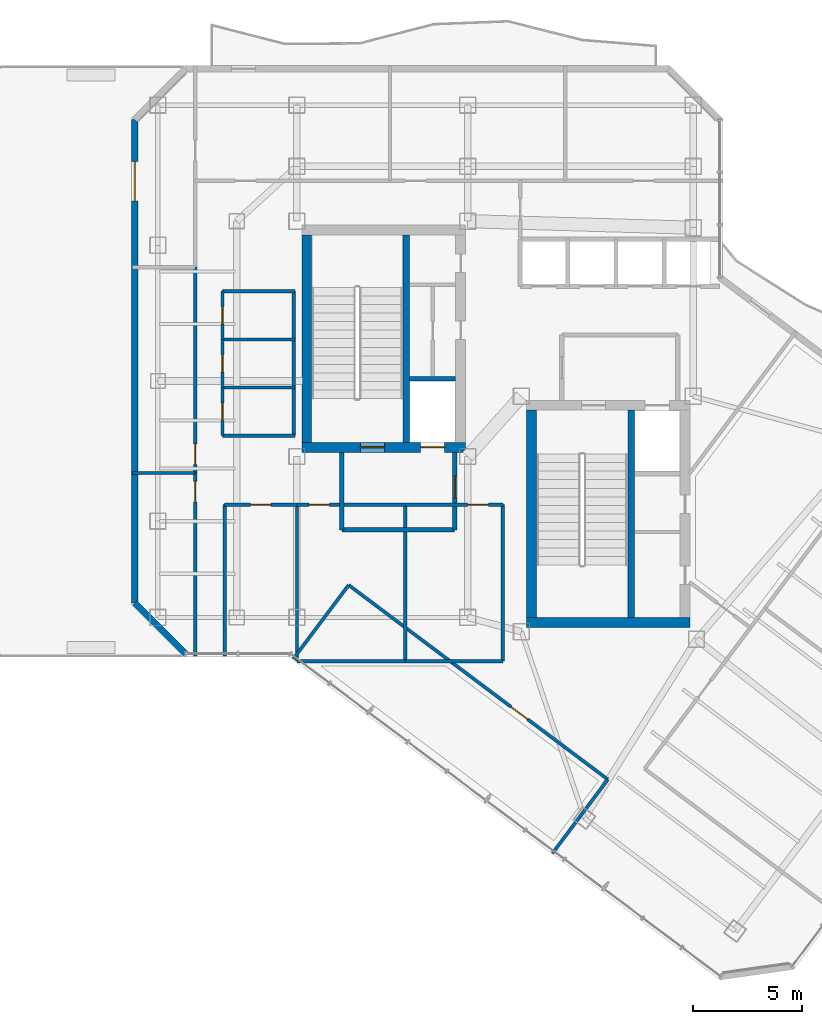
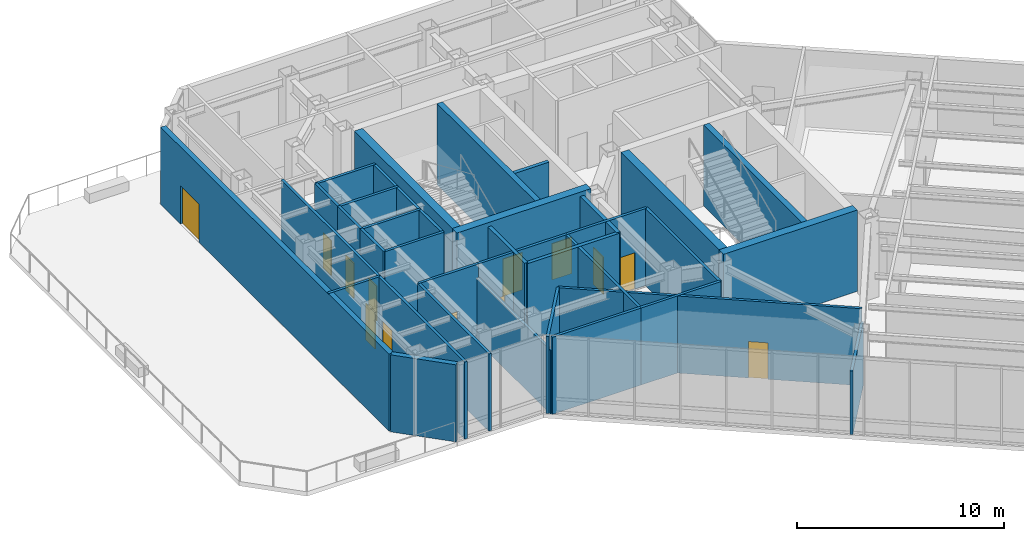
# One storey, part 16 of 21: 35 walls, 13 doors, 13 openings.
"""IFC4 building model written with IfcOpenShell, lengths in metres."""

from ifc_helpers import new_model, si_unit, direction, frame, frame_2d, origin, place, context, subcontext, project, spatial, rectangle, extrude, material, layer, layer_set, type_object, element, fill, save


model = new_model("IFC4")

# Units and contexts
model_context = context("Model", 3, precision=1e-05, world=origin(), true_north=direction((0.0, 1.0)))
body_context = subcontext(model_context, "Body", "Model", "MODEL_VIEW")
ifc_project = project(units=[si_unit("LENGTHUNIT", "METRE"), si_unit("AREAUNIT", "SQUARE_METRE"), si_unit("VOLUMEUNIT", "CUBIC_METRE"), si_unit("PLANEANGLEUNIT", "RADIAN"), si_unit("MASSUNIT", "GRAM", prefix="KILO")], contexts=[model_context])

# Site, building, storey
site_placement = place(None, origin())
site = spatial("IfcSite", under=ifc_project, at=site_placement, CompositionType="ELEMENT")
building_placement = place(site_placement, origin())
building = spatial("IfcBuilding", under=site, at=building_placement, Name="Hatsunagi Terrace Concourse", CompositionType="ELEMENT")
storey_placement = place(building_placement, frame((0.0, 0.0, 186.75)))
storey = spatial("IfcBuildingStorey", under=building, at=storey_placement, Name="L49", CompositionType="ELEMENT", Elevation=186.75)

# Wall, openings, doors
ifc_material_1 = material(Name="Concrete Fc42", Category="concrete")
ifc_layer_1 = layer(ifc_material_1, 0.449951171875)
ifc_layer_set_1 = layer_set([ifc_layer_1], Name="CoreShearWall_Fc42_450")
wall_type_1 = type_object("IfcWallType", Name="CoreShearWall_Fc42_450", PredefinedType="SHEAR", material=ifc_layer_set_1)
wall_1_placement = place(storey_placement, frame((25.77001953125, 32.965087890625, 0.0), z_axis=(0.0, 0.0, 1.0), x_axis=(1.0, 0.0, 0.0)))
wall_1 = element("IfcWall", 1, at=wall_1_placement, inside=storey, type_object=wall_type_1, Name="Core A Shear Wall S L49", PredefinedType="SHEAR", context=body_context, shape_type="SweptSolid", body=[
    extrude(rectangle(XDim=7.47998046875, YDim=0.449951171875, at=frame_2d((3.739990234375, 0.0))), origin(), (0.0, 0.0, 1.0), 4.800048828125),
])
opening_1_placement = place(wall_1_placement, frame((2.679931640625, 0.0, 0.0)))
opening_1 = element("IfcOpeningElement", 2, at=opening_1_placement, cuts=wall_1, Name="Opening DR-110S", PredefinedType="OPENING", context=body_context, shape_type="SweptSolid", body=[
    extrude(rectangle(XDim=1.10009765625, YDim=2.199951171875, at=frame_2d((0.550048828125, 1.10009765625))), frame((0.0, 0.23486328125, 0.0), z_axis=(0.0, -1.0, 0.0), x_axis=(1.0, 0.0, 0.0)), (0.0, 0.0, 1.0), 0.469970703125),
])
opening_2_placement = place(wall_1_placement, frame((5.429931640625, 0.0, 0.0)))
opening_2 = element("IfcOpeningElement", 3, at=opening_2_placement, cuts=wall_1, Name="Opening LD-01", PredefinedType="OPENING", context=body_context, shape_type="SweptSolid", body=[
    extrude(rectangle(XDim=1.10009765625, YDim=2.14990234375, at=frame_2d((0.550048828125, 1.074951171875))), frame((0.0, 0.23486328125, 0.0), z_axis=(0.0, -1.0, 0.0), x_axis=(1.0, 0.0, 0.0)), (0.0, 0.0, 1.0), 0.469970703125),
])
ifc_material_2 = material(Name="Stainless steel", Category="steel")
door_type_1 = type_object("IfcDoorType", Name="LiftLandingDoor_LD01", OperationType="SLIDING_TO_LEFT", PredefinedType="USERDEFINED", material=ifc_material_2)
door_1_placement = place(opening_2_placement, origin())
door_1 = element("IfcDoor", 4, at=door_1_placement, inside=storey, type_object=door_type_1, Name="Lift landing door FF-01 L49", ObjectType="SLIDING_LANDING_DOOR", OperationType="SLIDING_TO_LEFT", OverallHeight=2.14990234375, OverallWidth=1.10009765625, PredefinedType="USERDEFINED", context=body_context, shape_type="SweptSolid", body=[
    extrude(rectangle(XDim=1.10009765625, YDim=2.14990234375, at=frame_2d((0.550048828125, 1.074951171875))), frame((0.0, 0.02490234375, 0.0), z_axis=(0.0, -1.0, 0.0), x_axis=(1.0, 0.0, 0.0)), (0.0, 0.0, 1.0), 0.050048828125),
])
fill(opening_2, door_1)
ifc_material_3 = material(Name="Painted steel", Category="steel")
door_type_2 = type_object("IfcDoorType", Name="StairFireDoor_EI60_1100", OperationType="NOTDEFINED", PredefinedType="DOOR", material=ifc_material_3)
door_2_placement = place(opening_1_placement, origin())
door_2 = element("IfcDoor", 5, at=door_2_placement, inside=storey, type_object=door_type_2, Name="Stair ST-A Exit Door L49", OperationType="SINGLE_SWING_LEFT", OverallHeight=2.199951171875, OverallWidth=1.10009765625, PredefinedType="DOOR", context=body_context, shape_type="SweptSolid", body=[
    extrude(rectangle(XDim=1.10009765625, YDim=2.199951171875, at=frame_2d((0.550048828125, 1.10009765625))), frame((0.0, 0.02490234375, 0.0), z_axis=(0.0, -1.0, 0.0), x_axis=(1.0, 0.0, 0.0)), (0.0, 0.0, 1.0), 0.050048828125),
])
fill(opening_1, door_2)

# Walls
wall_2_placement = place(storey_placement, frame((25.9951171875, 33.18994140625, 0.0), z_axis=(0.0, 0.0, 1.0), x_axis=(0.0, 1.0, 0.0)))
element("IfcWall", 6, at=wall_2_placement, inside=storey, type_object=wall_type_1, Name="Core A Shear Wall W L49", PredefinedType="SHEAR", context=body_context, shape_type="SweptSolid", body=[
    extrude(rectangle(XDim=9.47998046875, YDim=0.449951171875, at=frame_2d((4.739990234375, 0.0))), origin(), (0.0, 0.0, 1.0), 4.800048828125),
])
wall_3_placement = place(storey_placement, frame((36.0400390625, 24.965087890625, 0.0), z_axis=(0.0, 0.0, 1.0), x_axis=(1.0, 0.0, 0.0)))
element("IfcWall", 7, at=wall_3_placement, inside=storey, type_object=wall_type_1, Name="Core B Shear Wall S L49", PredefinedType="SHEAR", context=body_context, shape_type="SweptSolid", body=[
    extrude(rectangle(XDim=7.4599609375, YDim=0.449951171875, at=frame_2d((3.72998046875, 0.0))), origin(), (0.0, 0.0, 1.0), 4.800048828125),
])
wall_4_placement = place(storey_placement, frame((36.264892578125, 25.18994140625, 0.0), z_axis=(0.0, 0.0, 1.0), x_axis=(0.0, 1.0, 0.0)))
element("IfcWall", 8, at=wall_4_placement, inside=storey, type_object=wall_type_1, Name="Core B Shear Wall W L49", PredefinedType="SHEAR", context=body_context, shape_type="SweptSolid", body=[
    extrude(rectangle(XDim=9.47998046875, YDim=0.449951171875, at=frame_2d((4.739990234375, 0.0))), origin(), (0.0, 0.0, 1.0), 4.800048828125),
])
ifc_material_4 = material(Name="Concrete Fc48", Category="concrete")
ifc_layer_2 = layer(ifc_material_4, 0.300048828125)
ifc_layer_set_2 = layer_set([ifc_layer_2], Name="CoreStairDivider_Fc48_300")
wall_type_2 = type_object("IfcWallType", Name="CoreStairDivider_Fc48_300", PredefinedType="SHEAR", material=ifc_layer_set_2)
for number, where, z_axis, x_axis, name in (
    (9, (30.5400390625, 33.18994140625, 0.0), (0.0, 0.0, 1.0), (0.0, 1.0, 0.0), "Core A Shear Wall D L49"),
    (10, (40.81005859375, 25.18994140625, 0.0), (0.0, 0.0, 1.0), (0.0, 1.0, 0.0), "Core B Shear Wall D L49"),
):
    element("IfcWall", number, at=place(storey_placement, frame(where, z_axis=z_axis, x_axis=x_axis)), inside=storey, type_object=wall_type_2, Name=name, PredefinedType="SHEAR", context=body_context, shape_type="SweptSolid", body=[
        extrude(rectangle(XDim=9.47998046875, YDim=0.300048828125, at=frame_2d((4.739990234375, 0.0))), origin(), (0.0, 0.0, 1.0), 4.800048828125),
    ])
ifc_material_5 = material(Name="Acoustic mineral board", Category="gypsum")
ifc_layer_3 = layer(ifc_material_5, 0.14990234375)
ifc_layer_set_3 = layer_set([ifc_layer_3], Name="PartitionWall_EI60_150")
wall_type_3 = type_object("IfcWallType", Name="PartitionWall_EI60_150", PredefinedType="PARTITIONING", material=ifc_layer_set_3)
for number, where, z_axis, x_axis, name in (
    (11, (22.14990234375, 33.5, 0.0), (0.0, 0.0, 1.0), (1.0, 0.0, 0.0), "Interior Partition IW-L49-018"),
    (12, (22.14990234375, 40.10009765625, 0.0), (0.0, 0.0, 1.0), (1.0, 0.0, 0.0), "Interior Partition IW-L49-019"),
):
    element("IfcWall", number, at=place(storey_placement, frame(where, z_axis=z_axis, x_axis=x_axis)), inside=storey, type_object=wall_type_3, Name=name, PredefinedType="PARTITIONING", context=body_context, shape_type="SweptSolid", body=[
        extrude(rectangle(XDim=3.300048828125, YDim=0.14990234375, at=frame_2d((1.64990234375, 0.0))), origin(), (0.0, 0.0, 1.0), 4.550048828125),
    ])
wall_5_placement = place(storey_placement, frame((25.39990234375, 33.5, 0.0), z_axis=(0.0, 0.0, 1.0), x_axis=(0.0, 1.0, 0.0)))
element("IfcWall", 13, at=wall_5_placement, inside=storey, type_object=wall_type_3, Name="Interior Partition IW-L49-020", PredefinedType="PARTITIONING", context=body_context, shape_type="SweptSolid", body=[
    extrude(rectangle(XDim=6.60009765625, YDim=0.14990234375, at=frame_2d((3.300048828125, 0.0))), origin(), (0.0, 0.0, 1.0), 4.550048828125),
])
for number, where, z_axis, x_axis, name in (
    (14, (22.14990234375, 35.699951171875, 0.0), (0.0, 0.0, 1.0), (1.0, 0.0, 0.0), "Interior Partition IW-L49-021"),
    (15, (22.14990234375, 37.89990234375, 0.0), (0.0, 0.0, 1.0), (1.0, 0.0, 0.0), "Interior Partition IW-L49-022"),
):
    element("IfcWall", number, at=place(storey_placement, frame(where, z_axis=z_axis, x_axis=x_axis)), inside=storey, type_object=wall_type_3, Name=name, PredefinedType="PARTITIONING", context=body_context, shape_type="SweptSolid", body=[
        extrude(rectangle(XDim=3.300048828125, YDim=0.14990234375, at=frame_2d((1.64990234375, 0.0))), origin(), (0.0, 0.0, 1.0), 4.550048828125),
    ])

# Wall, opening, door
wall_6_placement = place(storey_placement, frame((22.14990234375, 33.5, 0.0), z_axis=(0.0, 0.0, 1.0), x_axis=(0.0, 1.0, 0.0)))
wall_6 = element("IfcWall", 16, at=wall_6_placement, inside=storey, type_object=wall_type_3, Name="Interior Partition IW-L49-023", PredefinedType="PARTITIONING", context=body_context, shape_type="SweptSolid", body=[
    extrude(rectangle(XDim=2.199951171875, YDim=0.14990234375, at=frame_2d((1.10009765625, 0.0))), origin(), (0.0, 0.0, 1.0), 4.550048828125),
])
opening_3_placement = place(wall_6_placement, frame((0.699951171875, 0.0, 0.0)))
opening_3 = element("IfcOpeningElement", 17, at=opening_3_placement, cuts=wall_6, Name="Opening DR-080", PredefinedType="OPENING", context=body_context, shape_type="SweptSolid", body=[
    extrude(rectangle(XDim=0.800048828125, YDim=2.06005859375, at=frame_2d((0.39990234375, 1.030029296875))), frame((0.0, 0.0849609375, 0.0), z_axis=(0.0, -1.0, 0.0), x_axis=(1.0, 0.0, 0.0)), (0.0, 0.0, 1.0), 0.169921875),
])
ifc_material_6 = material(Name="Hardwood timber", Category="wood")
door_type_3 = type_object("IfcDoorType", Name="BathroomDoor_800", OperationType="NOTDEFINED", PredefinedType="DOOR", material=ifc_material_6)
door_3_placement = place(opening_3_placement, origin())
door_3 = element("IfcDoor", 18, at=door_3_placement, inside=storey, type_object=door_type_3, Name="Accessible WC Door L49", OperationType="SINGLE_SWING_RIGHT", OverallHeight=2.06005859375, OverallWidth=0.800048828125, PredefinedType="DOOR", context=body_context, shape_type="SweptSolid", body=[
    extrude(rectangle(XDim=0.800048828125, YDim=2.06005859375, at=frame_2d((0.39990234375, 1.030029296875))), frame((0.0, 0.02490234375, 0.0), z_axis=(0.0, -1.0, 0.0), x_axis=(1.0, 0.0, 0.0)), (0.0, 0.0, 1.0), 0.050048828125),
])
fill(opening_3, door_3)

wall_7_placement = place(storey_placement, frame((22.14990234375, 35.699951171875, 0.0), z_axis=(0.0, 0.0, 1.0), x_axis=(0.0, 1.0, 0.0)))
wall_7 = element("IfcWall", 19, at=wall_7_placement, inside=storey, type_object=wall_type_3, Name="Interior Partition IW-L49-024", PredefinedType="PARTITIONING", context=body_context, shape_type="SweptSolid", body=[
    extrude(rectangle(XDim=2.199951171875, YDim=0.14990234375, at=frame_2d((1.10009765625, 0.0))), origin(), (0.0, 0.0, 1.0), 4.550048828125),
])
opening_4_placement = place(wall_7_placement, frame((0.699951171875, 0.0, 0.0)))
opening_4 = element("IfcOpeningElement", 20, at=opening_4_placement, cuts=wall_7, Name="Opening DR-080", PredefinedType="OPENING", context=body_context, shape_type="SweptSolid", body=[
    extrude(rectangle(XDim=0.800048828125, YDim=2.06005859375, at=frame_2d((0.39990234375, 1.030029296875))), frame((0.0, 0.0849609375, 0.0), z_axis=(0.0, -1.0, 0.0), x_axis=(1.0, 0.0, 0.0)), (0.0, 0.0, 1.0), 0.169921875),
])
door_4_placement = place(opening_4_placement, origin())
door_4 = element("IfcDoor", 21, at=door_4_placement, inside=storey, type_object=door_type_3, Name="Female Restroom Door L49", OperationType="SINGLE_SWING_RIGHT", OverallHeight=2.06005859375, OverallWidth=0.800048828125, PredefinedType="DOOR", context=body_context, shape_type="SweptSolid", body=[
    extrude(rectangle(XDim=0.800048828125, YDim=2.06005859375, at=frame_2d((0.39990234375, 1.030029296875))), frame((0.0, 0.02490234375, 0.0), z_axis=(0.0, -1.0, 0.0), x_axis=(1.0, 0.0, 0.0)), (0.0, 0.0, 1.0), 0.050048828125),
])
fill(opening_4, door_4)

wall_8_placement = place(storey_placement, frame((22.14990234375, 37.89990234375, 0.0), z_axis=(0.0, 0.0, 1.0), x_axis=(0.0, 1.0, 0.0)))
wall_8 = element("IfcWall", 22, at=wall_8_placement, inside=storey, type_object=wall_type_3, Name="Interior Partition IW-L49-025", PredefinedType="PARTITIONING", context=body_context, shape_type="SweptSolid", body=[
    extrude(rectangle(XDim=2.2001953125, YDim=0.14990234375, at=frame_2d((1.10009765625, 0.0))), origin(), (0.0, 0.0, 1.0), 4.550048828125),
])
opening_5_placement = place(wall_8_placement, frame((0.699951171875, 0.0, 0.0)))
opening_5 = element("IfcOpeningElement", 23, at=opening_5_placement, cuts=wall_8, Name="Opening DR-080", PredefinedType="OPENING", context=body_context, shape_type="SweptSolid", body=[
    extrude(rectangle(XDim=0.800048828125, YDim=2.06005859375, at=frame_2d((0.39990234375, 1.030029296875))), frame((0.0, 0.0849609375, 0.0), z_axis=(0.0, -1.0, 0.0), x_axis=(1.0, 0.0, 0.0)), (0.0, 0.0, 1.0), 0.169921875),
])
door_5_placement = place(opening_5_placement, origin())
door_5 = element("IfcDoor", 24, at=door_5_placement, inside=storey, type_object=door_type_3, Name="Male Restroom Door L49", OperationType="SINGLE_SWING_RIGHT", OverallHeight=2.06005859375, OverallWidth=0.800048828125, PredefinedType="DOOR", context=body_context, shape_type="SweptSolid", body=[
    extrude(rectangle(XDim=0.800048828125, YDim=2.06005859375, at=frame_2d((0.39990234375, 1.030029296875))), frame((0.0, 0.02490234375, 0.0), z_axis=(0.0, -1.0, 0.0), x_axis=(1.0, 0.0, 0.0)), (0.0, 0.0, 1.0), 0.050048828125),
])
fill(opening_5, door_5)

# Wall
wall_9_placement = place(storey_placement, frame((25.550048828125, 23.199951171875, 0.0), z_axis=(0.0, 0.0, 1.0), x_axis=(1.0, 0.0, 0.0)))
element("IfcWall", 25, at=wall_9_placement, inside=storey, type_object=wall_type_3, Name="Interior Partition IW-L49-026", PredefinedType="PARTITIONING", context=body_context, shape_type="SweptSolid", body=[
    extrude(rectangle(XDim=4.949951171875, YDim=0.14990234375, at=frame_2d((2.47509765625, 0.0))), origin(), (0.0, 0.0, 1.0), 4.550048828125),
])

# Wall, opening, door
wall_10_placement = place(storey_placement, frame((25.550048828125, 30.35009765625, 0.0), z_axis=(0.0, 0.0, 1.0), x_axis=(1.0, 0.0, 0.0)))
wall_10 = element("IfcWall", 26, at=wall_10_placement, inside=storey, type_object=wall_type_3, Name="Interior Partition IW-L49-027", PredefinedType="PARTITIONING", context=body_context, shape_type="SweptSolid", body=[
    extrude(rectangle(XDim=4.949951171875, YDim=0.14990234375, at=frame_2d((2.47509765625, 0.0))), origin(), (0.0, 0.0, 1.0), 4.550048828125),
])
opening_6_placement = place(wall_10_placement, frame((0.5419921875, 0.0, 0.0)))
opening_6 = element("IfcOpeningElement", 27, at=opening_6_placement, cuts=wall_10, Name="Opening DR-095", PredefinedType="OPENING", context=body_context, shape_type="SweptSolid", body=[
    extrude(rectangle(XDim=0.949951171875, YDim=2.14990234375, at=frame_2d((0.47509765625, 1.074951171875))), frame((0.0, 0.0849609375, 0.0), z_axis=(0.0, -1.0, 0.0), x_axis=(1.0, 0.0, 0.0)), (0.0, 0.0, 1.0), 0.169921875),
])
ifc_material_7 = material(Name="Hardwood timber", Category="wood")
door_type_4 = type_object("IfcDoorType", Name="InteriorSuiteDoor_EI30_950", OperationType="NOTDEFINED", PredefinedType="DOOR", material=ifc_material_7)
door_6_placement = place(opening_6_placement, origin())
door_6 = element("IfcDoor", 28, at=door_6_placement, inside=storey, type_object=door_type_4, Name="Executive Office L49-RECL1 Door", OperationType="SINGLE_SWING_RIGHT", OverallHeight=2.14990234375, OverallWidth=0.949951171875, PredefinedType="DOOR", context=body_context, shape_type="SweptSolid", body=[
    extrude(rectangle(XDim=0.949951171875, YDim=2.14990234375, at=frame_2d((0.47509765625, 1.074951171875))), frame((0.0, 0.02490234375, 0.0), z_axis=(0.0, -1.0, 0.0), x_axis=(1.0, 0.0, 0.0)), (0.0, 0.0, 1.0), 0.050048828125),
])
fill(opening_6, door_6)

# Walls
wall_11_placement = place(storey_placement, frame((25.550048828125, 23.199951171875, 0.0), z_axis=(0.0, 0.0, 1.0), x_axis=(0.0, 1.0, 0.0)))
element("IfcWall", 29, at=wall_11_placement, inside=storey, type_object=wall_type_3, Name="Interior Partition IW-L49-028", PredefinedType="PARTITIONING", context=body_context, shape_type="SweptSolid", body=[
    extrude(rectangle(XDim=7.150146484375, YDim=0.14990234375, at=frame_2d((3.5751953125, 0.0))), origin(), (0.0, 0.0, 1.0), 3.7451171875),
])
wall_12_placement = place(storey_placement, frame((30.5, 23.199951171875, 0.0), z_axis=(0.0, 0.0, 1.0), x_axis=(0.0, 1.0, 0.0)))
element("IfcWall", 30, at=wall_12_placement, inside=storey, type_object=wall_type_3, Name="Interior Partition IW-L49-029", PredefinedType="PARTITIONING", context=body_context, shape_type="SweptSolid", body=[
    extrude(rectangle(XDim=7.150146484375, YDim=0.14990234375, at=frame_2d((3.5751953125, 0.0))), origin(), (0.0, 0.0, 1.0), 4.550048828125),
])
wall_13_placement = place(storey_placement, frame((30.5, 23.199951171875, 0.0), z_axis=(0.0, 0.0, 1.0), x_axis=(1.0, 0.0, 0.0)))
element("IfcWall", 31, at=wall_13_placement, inside=storey, type_object=wall_type_3, Name="Interior Partition IW-L49-030", PredefinedType="PARTITIONING", context=body_context, shape_type="SweptSolid", body=[
    extrude(rectangle(XDim=4.449951171875, YDim=0.14990234375, at=frame_2d((2.22509765625, 0.0))), origin(), (0.0, 0.0, 1.0), 4.550048828125),
])

# Wall, opening, door
wall_14_placement = place(storey_placement, frame((30.5, 30.35009765625, 0.0), z_axis=(0.0, 0.0, 1.0), x_axis=(1.0, 0.0, 0.0)))
wall_14 = element("IfcWall", 32, at=wall_14_placement, inside=storey, type_object=wall_type_3, Name="Interior Partition IW-L49-031", PredefinedType="PARTITIONING", context=body_context, shape_type="SweptSolid", body=[
    extrude(rectangle(XDim=4.449951171875, YDim=0.14990234375, at=frame_2d((2.22509765625, 0.0))), origin(), (0.0, 0.0, 1.0), 4.550048828125),
])
opening_7_placement = place(wall_14_placement, frame((2.845947265625, 0.0, 0.0)))
opening_7 = element("IfcOpeningElement", 33, at=opening_7_placement, cuts=wall_14, Name="Opening DR-095", PredefinedType="OPENING", context=body_context, shape_type="SweptSolid", body=[
    extrude(rectangle(XDim=0.949951171875, YDim=2.14990234375, at=frame_2d((0.47509765625, 1.074951171875))), frame((0.0, 0.0849609375, 0.0), z_axis=(0.0, -1.0, 0.0), x_axis=(1.0, 0.0, 0.0)), (0.0, 0.0, 1.0), 0.169921875),
])
door_7_placement = place(opening_7_placement, origin())
door_7 = element("IfcDoor", 34, at=door_7_placement, inside=storey, type_object=door_type_4, Name="Client Consultation Room L49-RECL2 Door", OperationType="SINGLE_SWING_RIGHT", OverallHeight=2.14990234375, OverallWidth=0.949951171875, PredefinedType="DOOR", context=body_context, shape_type="SweptSolid", body=[
    extrude(rectangle(XDim=0.949951171875, YDim=2.14990234375, at=frame_2d((0.47509765625, 1.074951171875))), frame((0.0, 0.02490234375, 0.0), z_axis=(0.0, -1.0, 0.0), x_axis=(1.0, 0.0, 0.0)), (0.0, 0.0, 1.0), 0.050048828125),
])
fill(opening_7, door_7)

# Walls
wall_15_placement = place(storey_placement, frame((34.949951171875, 23.199951171875, 0.0), z_axis=(0.0, 0.0, 1.0), x_axis=(0.0, 1.0, 0.0)))
element("IfcWall", 35, at=wall_15_placement, inside=storey, type_object=wall_type_3, Name="Interior Partition IW-L49-032", PredefinedType="PARTITIONING", context=body_context, shape_type="SweptSolid", body=[
    extrude(rectangle(XDim=7.150146484375, YDim=0.14990234375, at=frame_2d((3.5751953125, 0.0))), origin(), (0.0, 0.0, 1.0), 4.550048828125),
])
wall_16_placement = place(storey_placement, frame((18.0400390625, 31.800048828125, 0.0), z_axis=(0.0, 0.0, 1.0), x_axis=(1.0, 0.0, 0.0)))
element("IfcWall", 36, at=wall_16_placement, inside=storey, type_object=wall_type_3, Name="Interior Partition IW-L49-033", PredefinedType="PARTITIONING", context=body_context, shape_type="SweptSolid", body=[
    extrude(rectangle(XDim=2.85986328125, YDim=0.14990234375, at=frame_2d((1.429931640625, 0.0))), origin(), (0.0, 0.0, 1.0), 4.550048828125),
])

# Wall, opening, door
wall_17_placement = place(storey_placement, frame((20.89990234375, 23.43994140625, 0.0), z_axis=(0.0, 0.0, 1.0), x_axis=(0.0, 1.0, 0.0)))
wall_17 = element("IfcWall", 37, at=wall_17_placement, inside=storey, type_object=wall_type_3, Name="Interior Partition IW-L49-034", PredefinedType="PARTITIONING", context=body_context, shape_type="SweptSolid", body=[
    extrude(rectangle(XDim=8.360107421875, YDim=0.14990234375, at=frame_2d((4.18017578125, 0.0))), origin(), (0.0, 0.0, 1.0), 4.550048828125),
])
opening_8_placement = place(wall_17_placement, frame((7.030029296875, 0.0, 0.0)))
opening_8 = element("IfcOpeningElement", 38, at=opening_8_placement, cuts=wall_17, Name="Opening DR-095", PredefinedType="OPENING", context=body_context, shape_type="SweptSolid", body=[
    extrude(rectangle(XDim=0.949951171875, YDim=2.14990234375, at=frame_2d((0.47509765625, 1.074951171875))), frame((0.0, 0.0849609375, 0.0), z_axis=(0.0, -1.0, 0.0), x_axis=(1.0, 0.0, 0.0)), (0.0, 0.0, 1.0), 0.169921875),
])
door_8_placement = place(opening_8_placement, origin())
door_8 = element("IfcDoor", 39, at=door_8_placement, inside=storey, type_object=door_type_4, Name="Botanical Lounge L49-OW1 Door", OperationType="SINGLE_SWING_RIGHT", OverallHeight=2.14990234375, OverallWidth=0.949951171875, PredefinedType="DOOR", context=body_context, shape_type="SweptSolid", body=[
    extrude(rectangle(XDim=0.949951171875, YDim=2.14990234375, at=frame_2d((0.47509765625, 1.074951171875))), frame((0.0, 0.02490234375, 0.0), z_axis=(0.0, -1.0, 0.0), x_axis=(1.0, 0.0, 0.0)), (0.0, 0.0, 1.0), 0.050048828125),
])
fill(opening_8, door_8)

wall_18_placement = place(storey_placement, frame((20.89990234375, 31.800048828125, 0.0), z_axis=(0.0, 0.0, 1.0), x_axis=(0.0, 1.0, 0.0)))
wall_18 = element("IfcWall", 40, at=wall_18_placement, inside=storey, type_object=wall_type_3, Name="Interior Partition IW-L49-036", PredefinedType="PARTITIONING", context=body_context, shape_type="SweptSolid", body=[
    extrude(rectangle(XDim=9.39990234375, YDim=0.14990234375, at=frame_2d((4.699951171875, 0.0))), origin(), (0.0, 0.0, 1.0), 4.550048828125),
])
opening_9_placement = place(wall_18_placement, frame((0.3798828125, 0.0, 0.0)))
opening_9 = element("IfcOpeningElement", 41, at=opening_9_placement, cuts=wall_18, Name="Opening DR-095", PredefinedType="OPENING", context=body_context, shape_type="SweptSolid", body=[
    extrude(rectangle(XDim=0.949951171875, YDim=2.14990234375, at=frame_2d((0.47509765625, 1.074951171875))), frame((0.0, 0.0849609375, 0.0), z_axis=(0.0, -1.0, 0.0), x_axis=(1.0, 0.0, 0.0)), (0.0, 0.0, 1.0), 0.169921875),
])
door_9_placement = place(opening_9_placement, origin())
door_9 = element("IfcDoor", 42, at=door_9_placement, inside=storey, type_object=door_type_4, Name="Design Studio L49-OW2 Door", OperationType="SINGLE_SWING_RIGHT", OverallHeight=2.14990234375, OverallWidth=0.949951171875, PredefinedType="DOOR", context=body_context, shape_type="SweptSolid", body=[
    extrude(rectangle(XDim=0.949951171875, YDim=2.14990234375, at=frame_2d((0.47509765625, 1.074951171875))), frame((0.0, 0.02490234375, 0.0), z_axis=(0.0, -1.0, 0.0), x_axis=(1.0, 0.0, 0.0)), (0.0, 0.0, 1.0), 0.050048828125),
])
fill(opening_9, door_9)

wall_19_placement = place(storey_placement, frame((22.25, 30.35009765625, 0.0), z_axis=(0.0, 0.0, 1.0), x_axis=(1.0, 0.0, 0.0)))
wall_19 = element("IfcWall", 43, at=wall_19_placement, inside=storey, type_object=wall_type_3, Name="Interior Partition IW-L49-049", PredefinedType="PARTITIONING", context=body_context, shape_type="SweptSolid", body=[
    extrude(rectangle(XDim=3.300048828125, YDim=0.14990234375, at=frame_2d((1.64990234375, 0.0))), origin(), (0.0, 0.0, 1.0), 4.550048828125),
])
opening_10_placement = place(wall_19_placement, frame((1.175048828125, 0.0, 0.0)))
opening_10 = element("IfcOpeningElement", 44, at=opening_10_placement, cuts=wall_19, Name="Opening DR-095", PredefinedType="OPENING", context=body_context, shape_type="SweptSolid", body=[
    extrude(rectangle(XDim=0.949951171875, YDim=2.14990234375, at=frame_2d((0.47509765625, 1.074951171875))), frame((0.0, 0.0849609375, 0.0), z_axis=(0.0, -1.0, 0.0), x_axis=(1.0, 0.0, 0.0)), (0.0, 0.0, 1.0), 0.169921875),
])
door_10_placement = place(opening_10_placement, origin())
door_10 = element("IfcDoor", 45, at=door_10_placement, inside=storey, type_object=door_type_4, Name="Private Salon L49-OCSW Door", OperationType="SINGLE_SWING_RIGHT", OverallHeight=2.14990234375, OverallWidth=0.949951171875, PredefinedType="DOOR", context=body_context, shape_type="SweptSolid", body=[
    extrude(rectangle(XDim=0.949951171875, YDim=2.14990234375, at=frame_2d((0.47509765625, 1.074951171875))), frame((0.0, 0.02490234375, 0.0), z_axis=(0.0, -1.0, 0.0), x_axis=(1.0, 0.0, 0.0)), (0.0, 0.0, 1.0), 0.050048828125),
])
fill(opening_10, door_10)

# Wall
wall_20_placement = place(storey_placement, frame((22.25, 23.43994140625, 0.0), z_axis=(0.0, 0.0, 1.0), x_axis=(0.0, 1.0, 0.0)))
element("IfcWall", 46, at=wall_20_placement, inside=storey, type_object=wall_type_3, Name="Interior Partition IW-L49-050", PredefinedType="PARTITIONING", context=body_context, shape_type="SweptSolid", body=[
    extrude(rectangle(XDim=6.91015625, YDim=0.14990234375, at=frame_2d((3.455078125, 0.0))), origin(), (0.0, 0.0, 1.0), 4.550048828125),
])

# Wall, opening, door
wall_21_placement = place(storey_placement, frame((27.909912109375, 26.679931640625, 0.0), z_axis=(0.0, 0.0, 1.0), x_axis=(0.800005938517, -0.599992081896, 0.0)))
wall_21 = element("IfcWall", 47, at=wall_21_placement, inside=storey, type_object=wall_type_3, Name="Interior Partition IW-L49-052", PredefinedType="PARTITIONING", context=body_context, shape_type="SweptSolid", body=[
    extrude(rectangle(XDim=14.800048828125, YDim=0.14990234375, at=frame_2d((7.39990234375, 0.0))), origin(), (0.0, 0.0, 1.0), 4.550048828125),
])
opening_11_placement = place(wall_21_placement, frame((9.281005859375, 0.0, 0.0)))
opening_11 = element("IfcOpeningElement", 48, at=opening_11_placement, cuts=wall_21, Name="Opening DR-095", PredefinedType="OPENING", context=body_context, shape_type="SweptSolid", body=[
    extrude(rectangle(XDim=0.949951171875, YDim=2.14990234375, at=frame_2d((0.47509765625, 1.074951171875))), frame((0.0, 0.0849609375, 0.0), z_axis=(0.0, -1.0, 0.0), x_axis=(1.0, 0.0, 0.0)), (0.0, 0.0, 1.0), 0.169921875),
])
door_11_placement = place(opening_11_placement, origin())
door_11 = element("IfcDoor", 49, at=door_11_placement, inside=storey, type_object=door_type_4, Name="Research Focus Suite L49-OSWS Door", OperationType="SINGLE_SWING_RIGHT", OverallHeight=2.14990234375, OverallWidth=0.949951171875, PredefinedType="DOOR", context=body_context, shape_type="SweptSolid", body=[
    extrude(rectangle(XDim=0.949951171875, YDim=2.14990234375, at=frame_2d((0.47509765625, 1.074951171875))), frame((0.0, 0.02490234375, 0.0), z_axis=(0.0, -1.0, 0.0), x_axis=(1.0, 0.0, 0.0)), (0.0, 0.0, 1.0), 0.050048828125),
])
fill(opening_11, door_11)

# Walls
wall_22_placement = place(storey_placement, frame((25.384033203125, 23.31201171875, 0.0), z_axis=(0.0, 0.0, 1.0), x_axis=(0.599990721155, 0.80000695905, 0.0)))
element("IfcWall", 50, at=wall_22_placement, inside=storey, type_object=wall_type_3, Name="Interior Partition IW-L49-053", PredefinedType="PARTITIONING", context=body_context, shape_type="SweptSolid", body=[
    extrude(rectangle(XDim=4.2099609375, YDim=0.14990234375, at=frame_2d((2.10498046875, 0.0))), origin(), (0.0, 0.0, 1.0), 4.550048828125),
])
wall_23_placement = place(storey_placement, frame((37.22412109375, 14.431884765625, 0.0), z_axis=(0.0, 0.0, 1.0), x_axis=(0.599962885857, 0.800027834262, 0.0)))
element("IfcWall", 51, at=wall_23_placement, inside=storey, type_object=wall_type_3, Name="Interior Partition IW-L49-054", PredefinedType="PARTITIONING", context=body_context, shape_type="SweptSolid", body=[
    extrude(rectangle(XDim=4.2099609375, YDim=0.14990234375, at=frame_2d((2.10498046875, 0.0))), origin(), (0.0, 0.0, 1.0), 3.7451171875),
])
ifc_material_8 = material(Name="Acoustic mineral board", Category="gypsum")
ifc_layer_4 = layer(ifc_material_8, 0.199951171875)
ifc_layer_set_4 = layer_set([ifc_layer_4], Name="ShaftWall_EI120_200")
wall_type_4 = type_object("IfcWallType", Name="ShaftWall_EI120_200", PredefinedType="STANDARD", material=ifc_layer_set_4)
wall_24_placement = place(storey_placement, frame((30.699951171875, 36.10009765625, 0.0), z_axis=(0.0, 0.0, 1.0), x_axis=(1.0, 0.0, 0.0)))
element("IfcWall", 52, at=wall_24_placement, inside=storey, type_object=wall_type_4, Name="Interior Partition IW-L49-001", PredefinedType="STANDARD", context=body_context, shape_type="SweptSolid", body=[
    extrude(rectangle(XDim=2.10009765625, YDim=0.199951171875, at=frame_2d((1.050048828125, 0.0))), origin(), (0.0, 0.0, 1.0), 4.550048828125),
])
wall_25_placement = place(storey_placement, frame((27.60009765625, 29.199951171875, 0.0), z_axis=(0.0, 0.0, 1.0), x_axis=(1.0, 0.0, 0.0)))
element("IfcWall", 53, at=wall_25_placement, inside=storey, type_object=wall_type_4, Name="Interior Partition IW-L49-006", PredefinedType="STANDARD", context=body_context, shape_type="SweptSolid", body=[
    extrude(rectangle(XDim=5.14990234375, YDim=0.199951171875, at=frame_2d((2.574951171875, 0.0))), origin(), (0.0, 0.0, 1.0), 4.550048828125),
])
wall_26_placement = place(storey_placement, frame((27.60009765625, 29.199951171875, 0.0), z_axis=(0.0, 0.0, 1.0), x_axis=(0.0, 1.0, 0.0)))
element("IfcWall", 54, at=wall_26_placement, inside=storey, type_object=wall_type_4, Name="Interior Partition IW-L49-007", PredefinedType="STANDARD", context=body_context, shape_type="SweptSolid", body=[
    extrude(rectangle(XDim=3.5400390625, YDim=0.199951171875, at=frame_2d((1.77001953125, 0.0))), origin(), (0.0, 0.0, 1.0), 4.550048828125),
])

# Wall, opening, door
wall_27_placement = place(storey_placement, frame((32.75, 29.199951171875, 0.0), z_axis=(0.0, 0.0, 1.0), x_axis=(0.0, 1.0, 0.0)))
wall_27 = element("IfcWall", 55, at=wall_27_placement, inside=storey, type_object=wall_type_4, Name="Interior Partition IW-L49-008", PredefinedType="STANDARD", context=body_context, shape_type="SweptSolid", body=[
    extrude(rectangle(XDim=3.5400390625, YDim=0.199951171875, at=frame_2d((1.77001953125, 0.0))), origin(), (0.0, 0.0, 1.0), 4.550048828125),
])
opening_12_placement = place(wall_27_placement, frame((1.449951171875, 0.0, 0.0)))
opening_12 = element("IfcOpeningElement", 56, at=opening_12_placement, cuts=wall_27, Name="Opening DR-100F", PredefinedType="OPENING", context=body_context, shape_type="SweptSolid", body=[
    extrude(rectangle(XDim=1.0, YDim=2.199951171875, at=frame_2d((0.5, 1.10009765625))), frame((0.0, 0.10986328125, 0.0), z_axis=(0.0, -1.0, 0.0), x_axis=(1.0, 0.0, 0.0)), (0.0, 0.0, 1.0), 0.219970703125),
])
ifc_material_9 = material(Name="Painted steel", Category="steel")
door_type_5 = type_object("IfcDoorType", Name="FireDoor_EI60_1000", OperationType="NOTDEFINED", PredefinedType="DOOR", material=ifc_material_9)
door_12_placement = place(opening_12_placement, origin())
door_12 = element("IfcDoor", 57, at=door_12_placement, inside=storey, type_object=door_type_5, Name="Firefighting Lobby A Door L49", OperationType="SINGLE_SWING_RIGHT", OverallHeight=2.199951171875, OverallWidth=1.0, PredefinedType="DOOR", context=body_context, shape_type="SweptSolid", body=[
    extrude(rectangle(XDim=1.0, YDim=2.199951171875, at=frame_2d((0.5, 1.10009765625))), frame((0.0, 0.02490234375, 0.0), z_axis=(0.0, -1.0, 0.0), x_axis=(1.0, 0.0, 0.0)), (0.0, 0.0, 1.0), 0.050048828125),
])
fill(opening_12, door_12)

# Wall
ifc_material_10 = material(Name="Autoclaved Lightweight Concrete and Terracotta Cladding", Category="masonry")
ifc_layer_5 = layer(ifc_material_10, 0.280029296875)
ifc_layer_set_5 = layer_set([ifc_layer_5], Name="TerracottaSpandrelWall_280")
wall_type_5 = type_object("IfcWallType", Name="TerracottaSpandrelWall_280", PredefinedType="STANDARD", material=ifc_layer_set_5)
wall_28_placement = place(storey_placement, frame((20.4580078125, 23.5400390625, 0.0), z_axis=(0.0, 0.0, 1.0), x_axis=(-0.707144017911, 0.707069542501, 0.0)))
element("IfcWall", 58, at=wall_28_placement, inside=storey, type_object=wall_type_5, Name="Exterior Spandrel Wall EW-L49-07", PredefinedType="STANDARD", context=body_context, shape_type="SweptSolid", body=[
    extrude(rectangle(XDim=3.278076171875, YDim=0.280029296875, at=frame_2d((1.63916015625, 0.0))), origin(), (0.0, 0.0, 1.0), 4.550048828125),
])

# Wall, opening, door
wall_29_placement = place(storey_placement, frame((18.139892578125, 25.85791015625, 0.0), z_axis=(0.0, 0.0, 1.0), x_axis=(0.0, 1.0, 0.0)))
wall_29 = element("IfcWall", 59, at=wall_29_placement, inside=storey, type_object=wall_type_5, Name="Exterior Spandrel Wall EW-L49-08", PredefinedType="STANDARD", context=body_context, shape_type="SweptSolid", body=[
    extrude(rectangle(XDim=22.083984375, YDim=0.280029296875, at=frame_2d((11.0419921875, 0.0))), origin(), (0.0, 0.0, 1.0), 4.550048828125),
])
opening_13_placement = place(wall_29_placement, frame((18.366943359375, 0.0, 0.0)))
opening_13 = element("IfcOpeningElement", 60, at=opening_13_placement, cuts=wall_29, Name="Opening TD-01", PredefinedType="OPENING", context=body_context, shape_type="SweptSolid", body=[
    extrude(rectangle(XDim=1.800048828125, YDim=2.25, at=frame_2d((0.89990234375, 1.125))), frame((0.0, 0.14990234375, 0.0), z_axis=(0.0, -1.0, 0.0), x_axis=(1.0, 0.0, 0.0)), (0.0, 0.0, 1.0), 0.300048828125),
])
ifc_material_11 = material(Name="Galvanised Steel and Laminated Safety Glass", Category="steel")
door_type_6 = type_object("IfcDoorType", Name="SkyGardenDoubleTerraceDoor_1800x2250", OperationType="DOUBLE_DOOR_SINGLE_SWING", PredefinedType="DOOR", material=ifc_material_11)
door_13_placement = place(opening_13_placement, origin())
door_13 = element("IfcDoor", 61, at=door_13_placement, inside=storey, type_object=door_type_6, Name="Sky Garden Terrace Door TER-L49-1", OperationType="DOUBLE_DOOR_SINGLE_SWING", OverallHeight=2.25, OverallWidth=1.800048828125, PredefinedType="DOOR", context=body_context, shape_type="SweptSolid", body=[
    extrude(rectangle(XDim=1.800048828125, YDim=2.25, at=frame_2d((0.89990234375, 1.125))), frame((0.0, 0.02490234375, 0.0), z_axis=(0.0, -1.0, 0.0), x_axis=(1.0, 0.0, 0.0)), (0.0, 0.0, 1.0), 0.050048828125),
])
fill(opening_13, door_13)

save(model, "model.ifc")
